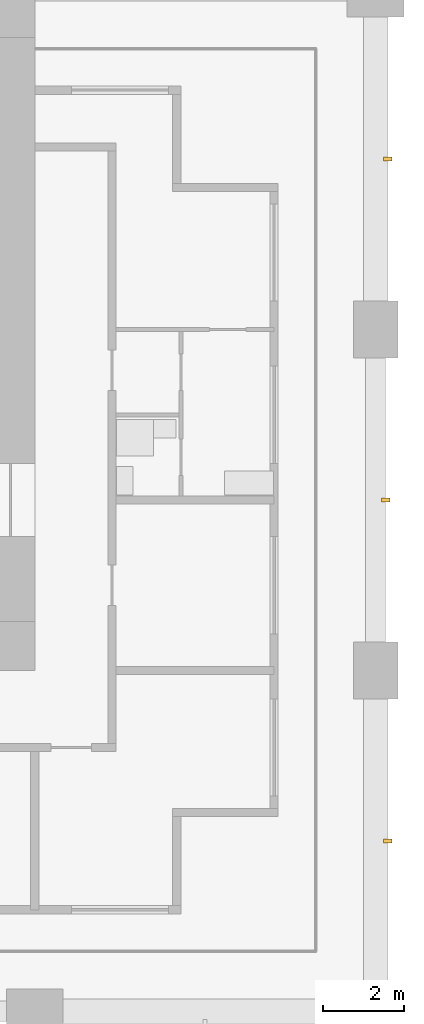
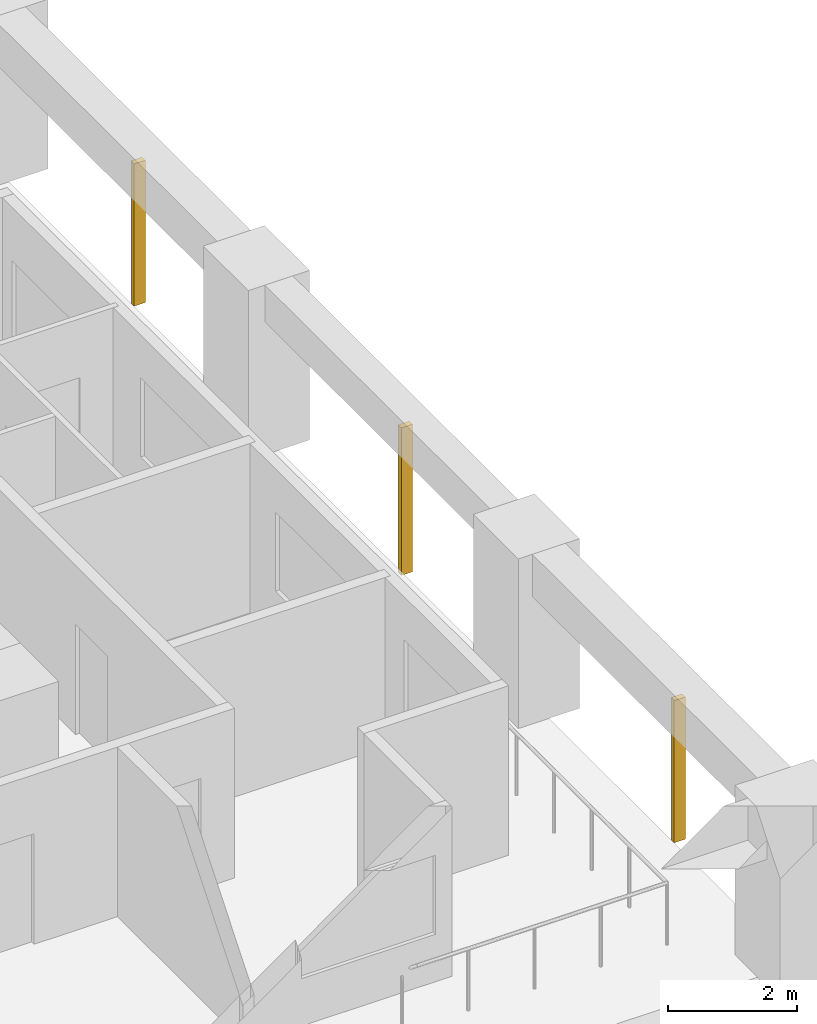
# One storey, part 18 of 19: 3 shading devices.
"""IFC4 building model written with IfcOpenShell, lengths in metres."""

from ifc_helpers import new_model, si_unit, direction, frame, origin, origin_2d, place, context, subcontext, project, spatial, rectangle, extrude, material, material_profile, profile_set, type_object, element, save


model = new_model("IFC4")

# Units and contexts
model_context = context("Model", 3, precision=1e-05, world=origin(), true_north=direction((0.0, 1.0)))
body_context = subcontext(model_context, "Body", "Model", "MODEL_VIEW")
ifc_project = project(units=[si_unit("LENGTHUNIT", "METRE"), si_unit("AREAUNIT", "SQUARE_METRE"), si_unit("VOLUMEUNIT", "CUBIC_METRE"), si_unit("PLANEANGLEUNIT", "RADIAN"), si_unit("MASSUNIT", "GRAM", prefix="KILO")], contexts=[model_context])

# Site, building, storey
site_placement = place(None, origin())
site = spatial("IfcSite", under=ifc_project, at=site_placement, CompositionType="ELEMENT")
building_placement = place(site_placement, origin())
building = spatial("IfcBuilding", under=site, at=building_placement, Name="Vermilion Gate Residences", CompositionType="ELEMENT")
storey_placement = place(building_placement, frame((0.0, 0.0, 49.699951171875)))
storey = spatial("IfcBuildingStorey", under=building, at=storey_placement, Name="L11", CompositionType="ELEMENT", Elevation=49.699951171875)

# Shading devices
ifc_material = material(Name="Extruded terracotta", Category="masonry")
ifc_material_profile = material_profile(ifc_material, rectangle(XDim=0.199951171875, YDim=0.10009765625, at=origin_2d()), Name="BAGUETTE 100 X 200")
ifc_profile_set = profile_set([ifc_material_profile], Name="Extruded terracotta")
shading_device_type = type_object("IfcShadingDeviceType", Name="TERRACOTTA BAGUETTE 100 X 200", PredefinedType="JALOUSIE", material=ifc_profile_set)
shading_device_1_placement = place(storey_placement, frame((67.5, 4.199951171875, -0.280029296875), z_axis=(0.0, 0.0, 1.0), x_axis=(-1.0, 0.0, 0.0)))
element("IfcShadingDevice", 1, at=shading_device_1_placement, inside=storey, type_object=shading_device_type, Name="BAGUETTE", PredefinedType="JALOUSIE", context=body_context, shape_type="SweptSolid", body=[
    extrude(rectangle(XDim=0.199951171875, YDim=0.10009765625, at=origin_2d()), origin(), (0.0, 0.0, 1.0), 2.7001953125),
])
shading_device_2_placement = place(storey_placement, frame((67.449951171875, 12.60009765625, -0.280029296875), z_axis=(0.0, 0.0, 1.0), x_axis=(-1.0, 0.0, 0.0)))
element("IfcShadingDevice", 2, at=shading_device_2_placement, inside=storey, type_object=shading_device_type, Name="BAGUETTE", PredefinedType="JALOUSIE", context=body_context, shape_type="SweptSolid", body=[
    extrude(rectangle(XDim=0.199951171875, YDim=0.10009765625, at=origin_2d()), origin(), (0.0, 0.0, 1.0), 2.800048828125),
])
shading_device_3_placement = place(storey_placement, frame((67.5, 21.0, -0.280029296875), z_axis=(0.0, 0.0, 1.0), x_axis=(-1.0, 0.0, 0.0)))
element("IfcShadingDevice", 3, at=shading_device_3_placement, inside=storey, type_object=shading_device_type, Name="BAGUETTE", PredefinedType="JALOUSIE", context=body_context, shape_type="SweptSolid", body=[
    extrude(rectangle(XDim=0.199951171875, YDim=0.10009765625, at=origin_2d()), origin(), (0.0, 0.0, 1.0), 2.7001953125),
])

save(model, "model.ifc")
